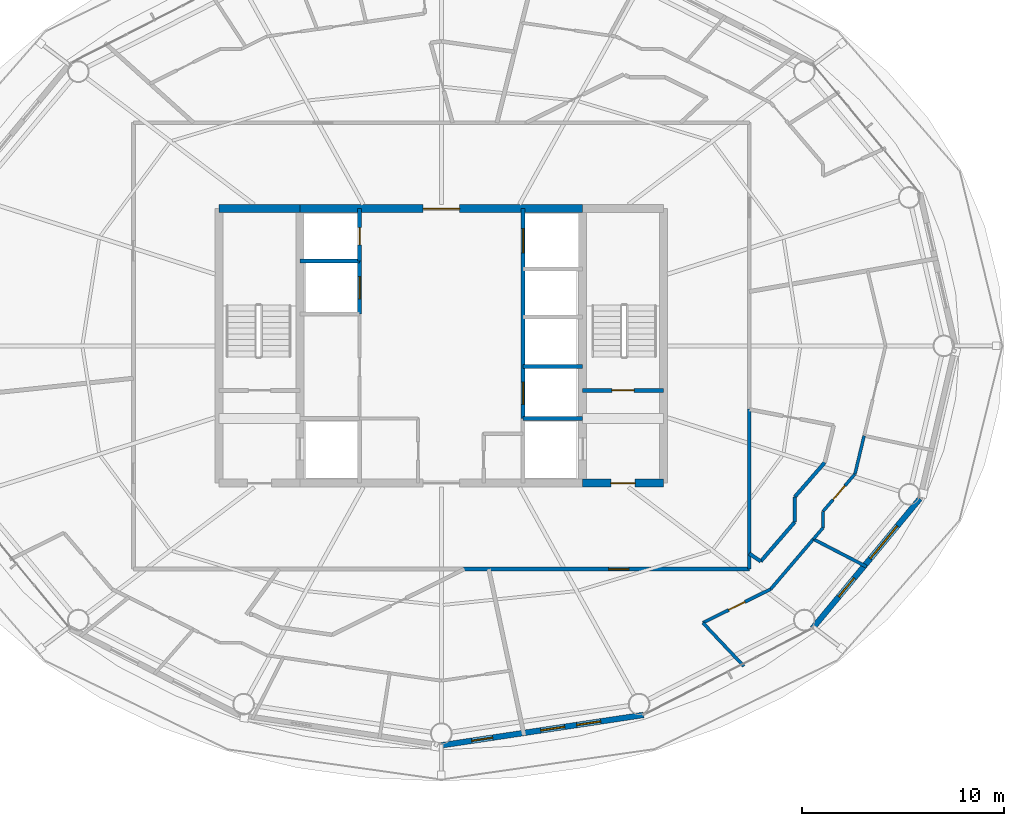
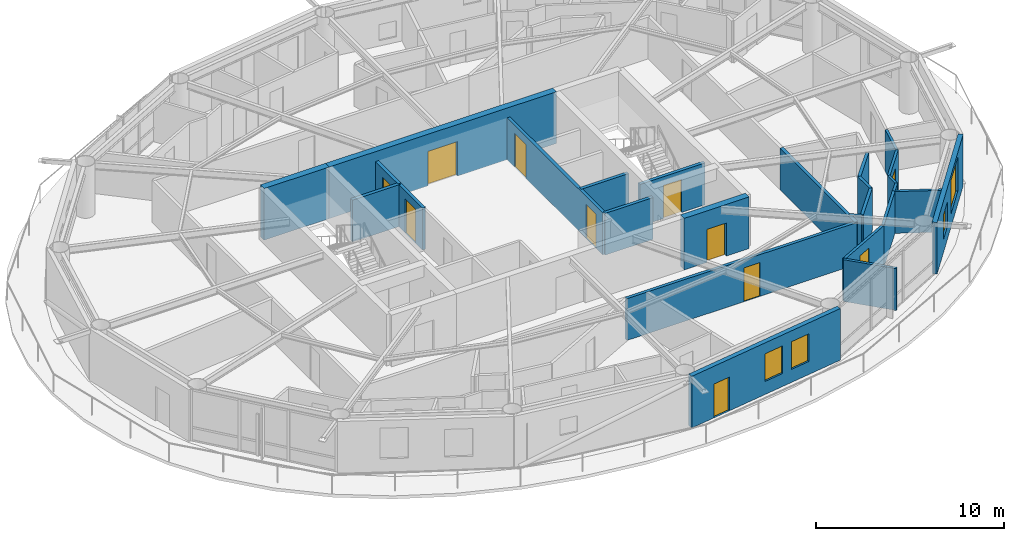
# One storey, part 17 of 23: 26 walls, 11 doors, 4 windows, 15 openings.
"""IFC4 building model written with IfcOpenShell, lengths in metres."""

from ifc_helpers import new_model, si_unit, direction, frame, frame_2d, origin, place, context, subcontext, project, spatial, rectangle, extrude, material, layer, layer_set, type_object, element, fill, save


model = new_model("IFC4")

# Units and contexts
model_context = context("Model", 3, precision=1e-05, world=origin(), true_north=direction((0.0, 1.0)))
body_context = subcontext(model_context, "Body", "Model", "MODEL_VIEW")
ifc_project = project(units=[si_unit("LENGTHUNIT", "METRE"), si_unit("AREAUNIT", "SQUARE_METRE"), si_unit("VOLUMEUNIT", "CUBIC_METRE"), si_unit("PLANEANGLEUNIT", "RADIAN"), si_unit("MASSUNIT", "GRAM", prefix="KILO")], contexts=[model_context])

# Site, building, storey
site_placement = place(None, origin())
site = spatial("IfcSite", under=ifc_project, at=site_placement, CompositionType="ELEMENT")
building_placement = place(site_placement, origin())
building = spatial("IfcBuilding", under=site, at=building_placement, Name="Sarneth Arch Tower", CompositionType="ELEMENT")
storey_placement = place(building_placement, frame((0.0, 0.0, 249.60009765625)))
storey = spatial("IfcBuildingStorey", under=building, at=storey_placement, Name="L64", CompositionType="ELEMENT", Elevation=249.60009765625)

# Wall, opening, door
ifc_material_1 = material(Name="Concrete C50/60", Category="concrete")
ifc_layer_1 = layer(ifc_material_1, 0.39990234375)
ifc_layer_set_1 = layer_set([ifc_layer_1], Name="Concrete C50/60")
wall_type_1 = type_object("IfcWallType", Name="WALL-CORE-400", PredefinedType="SHEAR", material=ifc_layer_set_1)
wall_1_placement = place(storey_placement, frame((55.0, 35.199951171875, 0.0), z_axis=(0.0, 0.0, 1.0), x_axis=(1.0, 0.0, 0.0)))
wall_1 = element("IfcWall", 1, at=wall_1_placement, inside=storey, type_object=wall_type_1, Name="L64 Core shear wall S-E", PredefinedType="SHEAR", context=body_context, shape_type="SweptSolid", body=[
    extrude(rectangle(XDim=4.0, YDim=0.39990234375, at=frame_2d((2.0, 0.0))), origin(), (0.0, 0.0, 1.0), 3.35986328125),
])
opening_1_placement = place(wall_1_placement, frame((1.39990234375, 0.0, 0.0)))
opening_1 = element("IfcOpeningElement", 2, at=opening_1_placement, cuts=wall_1, Name="Opening FD-02", PredefinedType="OPENING", context=body_context, shape_type="SweptSolid", body=[
    extrude(rectangle(XDim=1.199951171875, YDim=2.14990234375, at=frame_2d((0.60009765625, 1.074951171875))), frame((0.0, 0.2099609375, 0.0), z_axis=(0.0, -1.0, 0.0), x_axis=(1.0, 0.0, 0.0)), (0.0, 0.0, 1.0), 0.419921875),
])
ifc_material_2 = material(Name="Galvanised Steel S275 fire door set", Category="steel")
door_type_1 = type_object("IfcDoorType", Name="DR-FD90-1200", OperationType="SINGLE_SWING_LEFT", PredefinedType="DOOR", material=ifc_material_2)
door_1_placement = place(opening_1_placement, origin())
door_1 = element("IfcDoor", 3, at=door_1_placement, inside=storey, type_object=door_type_1, Name="L64 Firefighting lobby 2 exit door", OperationType="SINGLE_SWING_RIGHT", OverallHeight=2.14990234375, OverallWidth=1.199951171875, PredefinedType="DOOR", context=body_context, shape_type="SweptSolid", body=[
    extrude(rectangle(XDim=1.199951171875, YDim=2.14990234375, at=frame_2d((0.60009765625, 1.074951171875))), frame((0.0, 0.02490234375, 0.0), z_axis=(0.0, -1.0, 0.0), x_axis=(1.0, 0.0, 0.0)), (0.0, 0.0, 1.0), 0.050048828125),
])
fill(opening_1, door_1)

# Wall
wall_2_placement = place(storey_placement, frame((37.0, 48.800048828125, 0.0), z_axis=(0.0, 0.0, 1.0), x_axis=(1.0, 0.0, 0.0)))
element("IfcWall", 4, at=wall_2_placement, inside=storey, type_object=wall_type_1, Name="L64 Core shear wall N-W", PredefinedType="SHEAR", context=body_context, shape_type="SweptSolid", body=[
    extrude(rectangle(XDim=4.0, YDim=0.39990234375, at=frame_2d((2.0, 0.0))), origin(), (0.0, 0.0, 1.0), 3.35986328125),
])

# Wall, opening, door
wall_3_placement = place(storey_placement, frame((41.0, 48.800048828125, 0.0), z_axis=(0.0, 0.0, 1.0), x_axis=(1.0, 0.0, 0.0)))
wall_3 = element("IfcWall", 5, at=wall_3_placement, inside=storey, type_object=wall_type_1, Name="L64 Core shear wall N-M", PredefinedType="SHEAR", context=body_context, shape_type="SweptSolid", body=[
    extrude(rectangle(XDim=14.0, YDim=0.39990234375, at=frame_2d((7.0, 0.0))), origin(), (0.0, 0.0, 1.0), 3.35986328125),
])
opening_2_placement = place(wall_3_placement, frame((6.10009765625, 0.0, 0.0)))
opening_2 = element("IfcOpeningElement", 6, at=opening_2_placement, cuts=wall_3, Name="Opening FD-01", PredefinedType="OPENING", context=body_context, shape_type="SweptSolid", body=[
    extrude(rectangle(XDim=1.800048828125, YDim=2.25, at=frame_2d((0.89990234375, 1.125))), frame((0.0, 0.2099609375, 0.0), z_axis=(0.0, -1.0, 0.0), x_axis=(1.0, 0.0, 0.0)), (0.0, 0.0, 1.0), 0.419921875),
])
ifc_material_3 = material(Name="Galvanised Steel S275 fire door set", Category="steel")
door_type_2 = type_object("IfcDoorType", Name="DR-FD90-1800", OperationType="DOUBLE_DOOR_SINGLE_SWING", PredefinedType="DOOR", material=ifc_material_3)
door_2_placement = place(opening_2_placement, origin())
door_2 = element("IfcDoor", 7, at=door_2_placement, inside=storey, type_object=door_type_2, Name="L64 Central lift lobby north door", OperationType="DOUBLE_DOOR_SINGLE_SWING", OverallHeight=2.25, OverallWidth=1.800048828125, PredefinedType="DOOR", context=body_context, shape_type="SweptSolid", body=[
    extrude(rectangle(XDim=1.800048828125, YDim=2.25, at=frame_2d((0.89990234375, 1.125))), frame((0.0, 0.02490234375, 0.0), z_axis=(0.0, -1.0, 0.0), x_axis=(1.0, 0.0, 0.0)), (0.0, 0.0, 1.0), 0.050048828125),
])
fill(opening_2, door_2)

ifc_material_4 = material(Name="Double steel-stud corridor fire wall", Category="steel")
ifc_layer_2 = layer(ifc_material_4, 0.18994140625)
ifc_layer_set_2 = layer_set([ifc_layer_2], Name="Double steel-stud corridor fire wall")
wall_type_2 = type_object("IfcWallType", Name="WALL-CORR-190", PredefinedType="PARTITIONING", material=ifc_layer_set_2)
wall_4_placement = place(storey_placement, frame((63.25, 30.949951171875, 0.0), z_axis=(0.0, 0.0, 1.0), x_axis=(-1.0, 0.0, 0.0)))
wall_4 = element("IfcWall", 8, at=wall_4_placement, inside=storey, type_object=wall_type_2, Name="L64 Interior partition W-L64-TP-014", PredefinedType="PARTITIONING", context=body_context, shape_type="SweptSolid", body=[
    extrude(rectangle(XDim=14.17041015625, YDim=0.18994140625, at=frame_2d((7.085205078125, 0.0))), origin(), (0.0, 0.0, 1.0), 2.719970703125),
])
opening_3_placement = place(wall_4_placement, frame((5.967041015625, 0.0, 0.0)))
opening_3 = element("IfcOpeningElement", 9, at=opening_3_placement, cuts=wall_4, Name="Opening FD-08", PredefinedType="OPENING", context=body_context, shape_type="SweptSolid", body=[
    extrude(rectangle(XDim=1.0, YDim=2.199951171875, at=frame_2d((0.5, 1.10009765625))), frame((0.0, 0.10498046875, 0.0), z_axis=(0.0, -1.0, 0.0), x_axis=(1.0, 0.0, 0.0)), (0.0, 0.0, 1.0), 0.2099609375),
])
ifc_material_5 = material(Name="Hardwood timber acoustic fire door", Category="wood")
door_type_3 = type_object("IfcDoorType", Name="DR-FD60-1000", OperationType="SINGLE_SWING_LEFT", PredefinedType="DOOR", material=ifc_material_5)
door_3_placement = place(opening_3_placement, origin())
door_3 = element("IfcDoor", 10, at=door_3_placement, inside=storey, type_object=door_type_3, Name="L64 Interior door DR-L64-U5-ENT", OperationType="SINGLE_SWING_LEFT", OverallHeight=2.199951171875, OverallWidth=1.0, PredefinedType="DOOR", context=body_context, shape_type="SweptSolid", body=[
    extrude(rectangle(XDim=1.0, YDim=2.199951171875, at=frame_2d((0.5, 1.10009765625))), frame((0.0, 0.02490234375, 0.0), z_axis=(0.0, -1.0, 0.0), x_axis=(1.0, 0.0, 0.0)), (0.0, 0.0, 1.0), 0.050048828125),
])
fill(opening_3, door_3)

# Wall
wall_5_placement = place(storey_placement, frame((63.25, 38.885009765625, 0.0), z_axis=(0.0, 0.0, 1.0), x_axis=(0.0, -1.0, 0.0)))
element("IfcWall", 11, at=wall_5_placement, inside=storey, type_object=wall_type_2, Name="L64 Interior partition W-L64-TP-016", PredefinedType="PARTITIONING", context=body_context, shape_type="SweptSolid", body=[
    extrude(rectangle(XDim=7.93505859375, YDim=0.18994140625, at=frame_2d((3.967529296875, 0.0))), origin(), (0.0, 0.0, 1.0), 2.719970703125),
])

# Wall, openings, door, windows
ifc_material_6 = material(Name="Extruded terracotta rainscreen on Concrete C40/50 backing", Category="masonry")
ifc_layer_3 = layer(ifc_material_6, 0.280029296875)
ifc_layer_set_3 = layer_set([ifc_layer_3], Name="Extruded terracotta rainscreen on Concrete C40/50 backing")
wall_type_3 = type_object("IfcWallType", Name="WALL-EXT-TERRA-280", PredefinedType="SOLIDWALL", material=ifc_layer_set_3)
wall_6_placement = place(storey_placement, frame((48.0, 22.219970703125, 0.0), z_axis=(0.0, 0.0, 1.0), x_axis=(0.988882522213, 0.148698881169, 0.0)))
wall_6 = element("IfcWall", 12, at=wall_6_placement, inside=storey, type_object=wall_type_3, Name="L64 Terracotta perimeter wall 13", PredefinedType="SOLIDWALL", context=body_context, shape_type="SweptSolid", body=[
    extrude(rectangle(XDim=10.125244140625, YDim=0.280029296875, at=frame_2d((5.0625, 0.0))), origin(), (0.0, 0.0, 1.0), 3.35986328125),
])
opening_4_placement = place(wall_6_placement, frame((1.51611328125, 0.0, 0.0)))
opening_4 = element("IfcOpeningElement", 13, at=opening_4_placement, cuts=wall_6, Name="Opening BD-4", PredefinedType="OPENING", context=body_context, shape_type="SweptSolid", body=[
    extrude(rectangle(XDim=1.050048828125, YDim=2.199951171875, at=frame_2d((0.52490234375, 1.10009765625))), frame((0.0, 0.14990234375, 0.0), z_axis=(0.0, -1.0, 0.0), x_axis=(1.0, 0.0, 0.0)), (0.0, 0.0, 1.0), 0.300048828125),
])
opening_5_placement = place(wall_6_placement, frame((4.97998046875, 0.0, 0.85009765625)))
opening_5 = element("IfcOpeningElement", 14, at=opening_5_placement, cuts=wall_6, Name="Opening W-09", PredefinedType="OPENING", context=body_context, shape_type="SweptSolid", body=[
    extrude(rectangle(XDim=1.199951171875, YDim=1.800048828125, at=frame_2d((0.60009765625, 0.89990234375))), frame((0.0, 0.14990234375, 0.0), z_axis=(0.0, -1.0, 0.0), x_axis=(1.0, 0.0, 0.0)), (0.0, 0.0, 1.0), 0.300048828125),
])
opening_6_placement = place(wall_6_placement, frame((6.78271484375, 0.0, 0.85009765625)))
opening_6 = element("IfcOpeningElement", 15, at=opening_6_placement, cuts=wall_6, Name="Opening W-09", PredefinedType="OPENING", context=body_context, shape_type="SweptSolid", body=[
    extrude(rectangle(XDim=1.199951171875, YDim=1.800048828125, at=frame_2d((0.60009765625, 0.89990234375))), frame((0.0, 0.14990234375, 0.0), z_axis=(0.0, -1.0, 0.0), x_axis=(1.0, 0.0, 0.0)), (0.0, 0.0, 1.0), 0.300048828125),
])
ifc_material_7 = material(Name="Thermally broken Aluminium 6063-T6 and laminated safety glass", Category="aluminium")
door_type_4 = type_object("IfcDoorType", Name="DR-BALC-GLZ-1050", OperationType="SINGLE_SWING_RIGHT", PredefinedType="DOOR", material=ifc_material_7)
door_4_placement = place(opening_4_placement, origin())
door_4 = element("IfcDoor", 16, at=door_4_placement, inside=storey, type_object=door_type_4, Name="L64 Balcony glazed door 13", OperationType="SINGLE_SWING_RIGHT", OverallHeight=2.199951171875, OverallWidth=1.050048828125, PredefinedType="DOOR", context=body_context, shape_type="SweptSolid", body=[
    extrude(rectangle(XDim=1.050048828125, YDim=2.199951171875, at=frame_2d((0.52490234375, 1.10009765625))), frame((0.0, 0.02490234375, 0.0), z_axis=(0.0, -1.0, 0.0), x_axis=(1.0, 0.0, 0.0)), (0.0, 0.0, 1.0), 0.050048828125),
])
fill(opening_4, door_4)
ifc_material_8 = material(Name="Thermally broken Aluminium 6063-T6 and low-e laminated IGU", Category="aluminium")
window_type_1 = type_object("IfcWindowType", Name="WIN-TWR-1200x1800", PartitioningType="SINGLE_PANEL", PredefinedType="WINDOW", material=ifc_material_8)
window_1_placement = place(opening_5_placement, origin())
window_1 = element("IfcWindow", 17, at=window_1_placement, inside=storey, type_object=window_type_1, Name="L64 Exterior window 13A", OverallHeight=1.800048828125, OverallWidth=1.199951171875, PartitioningType="SINGLE_PANEL", PredefinedType="WINDOW", context=body_context, shape_type="SweptSolid", body=[
    extrude(rectangle(XDim=1.199951171875, YDim=1.800048828125, at=frame_2d((0.60009765625, 0.89990234375))), frame((0.0, 0.030029296875, 0.0), z_axis=(0.0, -1.0, 0.0), x_axis=(1.0, 0.0, 0.0)), (0.0, 0.0, 1.0), 0.06005859375),
])
fill(opening_5, window_1)
window_2_placement = place(opening_6_placement, origin())
window_2 = element("IfcWindow", 18, at=window_2_placement, inside=storey, type_object=window_type_1, Name="L64 Exterior window 13B", OverallHeight=1.800048828125, OverallWidth=1.199951171875, PartitioningType="SINGLE_PANEL", PredefinedType="WINDOW", context=body_context, shape_type="SweptSolid", body=[
    extrude(rectangle(XDim=1.199951171875, YDim=1.800048828125, at=frame_2d((0.60009765625, 0.89990234375))), frame((0.0, 0.030029296875, 0.0), z_axis=(0.0, -1.0, 0.0), x_axis=(1.0, 0.0, 0.0)), (0.0, 0.0, 1.0), 0.06005859375),
])
fill(opening_6, window_2)

# Wall, openings, windows
wall_7_placement = place(storey_placement, frame((66.382568359375, 28.013427734375, 0.0), z_axis=(0.0, 0.0, 1.0), x_axis=(0.63761509934, 0.770355103243, 0.0)))
wall_7 = element("IfcWall", 19, at=wall_7_placement, inside=storey, type_object=wall_type_3, Name="L64 Terracotta perimeter wall 15", PredefinedType="SOLIDWALL", context=body_context, shape_type="SweptSolid", body=[
    extrude(rectangle(XDim=8.329833984375, YDim=0.280029296875, at=frame_2d((4.1650390625, 0.0))), origin(), (0.0, 0.0, 1.0), 3.35986328125),
])
opening_7_placement = place(wall_7_placement, frame((2.03076171875, 0.0, 0.85009765625)))
opening_7 = element("IfcOpeningElement", 20, at=opening_7_placement, cuts=wall_7, Name="Opening W-10", PredefinedType="OPENING", context=body_context, shape_type="SweptSolid", body=[
    extrude(rectangle(XDim=1.199951171875, YDim=1.60009765625, at=frame_2d((0.60009765625, 0.800048828125))), frame((0.0, 0.14990234375, 0.0), z_axis=(0.0, -1.0, 0.0), x_axis=(1.0, 0.0, 0.0)), (0.0, 0.0, 1.0), 0.300048828125),
])
opening_8_placement = place(wall_7_placement, frame((4.485595703125, 0.0, 0.85009765625)))
opening_8 = element("IfcOpeningElement", 21, at=opening_8_placement, cuts=wall_7, Name="Opening W-03", PredefinedType="OPENING", context=body_context, shape_type="SweptSolid", body=[
    extrude(rectangle(XDim=2.10009765625, YDim=2.199951171875, at=frame_2d((1.050048828125, 1.10009765625))), frame((0.0, 0.14990234375, 0.0), z_axis=(0.0, -1.0, 0.0), x_axis=(1.0, 0.0, 0.0)), (0.0, 0.0, 1.0), 0.300048828125),
])
ifc_material_9 = material(Name="Thermally broken Aluminium 6063-T6 and low-e laminated IGU", Category="aluminium")
window_type_2 = type_object("IfcWindowType", Name="WIN-TWR-1200x1600", PartitioningType="SINGLE_PANEL", PredefinedType="WINDOW", material=ifc_material_9)
window_3_placement = place(opening_7_placement, origin())
window_3 = element("IfcWindow", 22, at=window_3_placement, inside=storey, type_object=window_type_2, Name="L64 Exterior window 15A", OverallHeight=1.60009765625, OverallWidth=1.199951171875, PartitioningType="SINGLE_PANEL", PredefinedType="WINDOW", context=body_context, shape_type="SweptSolid", body=[
    extrude(rectangle(XDim=1.199951171875, YDim=1.60009765625, at=frame_2d((0.60009765625, 0.800048828125))), frame((0.0, 0.030029296875, 0.0), z_axis=(0.0, -1.0, 0.0), x_axis=(1.0, 0.0, 0.0)), (0.0, 0.0, 1.0), 0.06005859375),
])
fill(opening_7, window_3)
ifc_material_10 = material(Name="Thermally broken Aluminium 6063-T6 and low-e laminated IGU", Category="aluminium")
window_type_3 = type_object("IfcWindowType", Name="WIN-TWR-2100x2200", PartitioningType="DOUBLE_PANEL_VERTICAL", PredefinedType="WINDOW", material=ifc_material_10)
window_4_placement = place(opening_8_placement, origin())
window_4 = element("IfcWindow", 23, at=window_4_placement, inside=storey, type_object=window_type_3, Name="L64 Exterior window 15B", OverallHeight=2.199951171875, OverallWidth=2.10009765625, PartitioningType="SINGLE_PANEL", PredefinedType="WINDOW", context=body_context, shape_type="SweptSolid", body=[
    extrude(rectangle(XDim=2.10009765625, YDim=2.199951171875, at=frame_2d((1.050048828125, 1.10009765625))), frame((0.0, 0.030029296875, 0.0), z_axis=(0.0, -1.0, 0.0), x_axis=(1.0, 0.0, 0.0)), (0.0, 0.0, 1.0), 0.06005859375),
])
fill(opening_8, window_4)

# Wall, opening, door
ifc_material_11 = material(Name="Acoustic gypsum stud partition", Category="gypsum")
ifc_layer_4 = layer(ifc_material_11, 0.14990234375)
ifc_layer_set_4 = layer_set([ifc_layer_4], Name="Acoustic gypsum stud partition")
wall_type_4 = type_object("IfcWallType", Name="WALL-PART-150", PredefinedType="PARTITIONING", material=ifc_layer_set_4)
wall_8_placement = place(storey_placement, frame((66.89990234375, 33.802978515625, 0.0), z_axis=(0.0, 0.0, 1.0), x_axis=(0.649270866973, 0.760557257082, 0.0)))
wall_8 = element("IfcWall", 24, at=wall_8_placement, inside=storey, type_object=wall_type_4, Name="L64 Interior partition W-L64-TP-092", PredefinedType="PARTITIONING", context=body_context, shape_type="SweptSolid", body=[
    extrude(rectangle(XDim=2.43505859375, YDim=0.14990234375, at=frame_2d((1.217529296875, 0.0))), origin(), (0.0, 0.0, 1.0), 2.719970703125),
])
opening_9_placement = place(wall_8_placement, frame((0.767578125, 0.0, 0.0)))
opening_9 = element("IfcOpeningElement", 25, at=opening_9_placement, cuts=wall_8, Name="Opening ID-01", PredefinedType="OPENING", context=body_context, shape_type="SweptSolid", body=[
    extrude(rectangle(XDim=0.89990234375, YDim=2.10009765625, at=frame_2d((0.449951171875, 1.050048828125))), frame((0.0, 0.0849609375, 0.0), z_axis=(0.0, -1.0, 0.0), x_axis=(1.0, 0.0, 0.0)), (0.0, 0.0, 1.0), 0.169921875),
])
ifc_material_12 = material(Name="Engineered hardwood flush door", Category="wood")
door_type_5 = type_object("IfcDoorType", Name="DR-INT-900", OperationType="SINGLE_SWING_LEFT", PredefinedType="DOOR", material=ifc_material_12)
door_5_placement = place(opening_9_placement, origin())
door_5 = element("IfcDoor", 26, at=door_5_placement, inside=storey, type_object=door_type_5, Name="L64 Interior door DR-L64-U5-BED1", OperationType="SINGLE_SWING_RIGHT", OverallHeight=2.10009765625, OverallWidth=0.89990234375, PredefinedType="DOOR", context=body_context, shape_type="SweptSolid", body=[
    extrude(rectangle(XDim=0.89990234375, YDim=2.10009765625, at=frame_2d((0.449951171875, 1.050048828125))), frame((0.0, 0.02490234375, 0.0), z_axis=(0.0, -1.0, 0.0), x_axis=(1.0, 0.0, 0.0)), (0.0, 0.0, 1.0), 0.050048828125),
])
fill(opening_9, door_5)

# Walls
wall_9_placement = place(storey_placement, frame((68.48095703125, 35.655029296875, 0.0), z_axis=(0.0, 0.0, 1.0), x_axis=(0.232292373483, 0.97264600612, 0.0)))
element("IfcWall", 27, at=wall_9_placement, inside=storey, type_object=wall_type_4, Name="L64 Interior partition W-L64-TP-093", PredefinedType="PARTITIONING", context=body_context, shape_type="SweptSolid", body=[
    extrude(rectangle(XDim=1.948486328125, YDim=0.14990234375, at=frame_2d((0.97412109375, 0.0))), origin(), (0.0, 0.0, 1.0), 2.719970703125),
])
wall_10_placement = place(storey_placement, frame((66.89990234375, 32.992919921875, 0.0), z_axis=(0.0, 0.0, 1.0), x_axis=(0.0, 1.0, 0.0)))
element("IfcWall", 28, at=wall_10_placement, inside=storey, type_object=wall_type_4, Name="L64 Interior partition W-L64-TP-091", PredefinedType="PARTITIONING", context=body_context, shape_type="SweptSolid", body=[
    extrude(rectangle(XDim=0.81005859375, YDim=0.14990234375, at=frame_2d((0.405029296875, 0.0))), origin(), (0.0, 0.0, 1.0), 2.719970703125),
])
wall_11_placement = place(storey_placement, frame((66.42138671875, 32.43212890625, 0.0), z_axis=(0.0, 0.0, 1.0), x_axis=(0.649098829795, 0.760704087775, 0.0)))
element("IfcWall", 29, at=wall_11_placement, inside=storey, type_object=wall_type_4, Name="L64 Interior partition W-L64-TP-090", PredefinedType="PARTITIONING", context=body_context, shape_type="SweptSolid", body=[
    extrude(rectangle(XDim=0.7373046875, YDim=0.14990234375, at=frame_2d((0.36865234375, 0.0))), origin(), (0.0, 0.0, 1.0), 2.719970703125),
])

# Wall, opening, door
ifc_material_13 = material(Name="Kitchen wet service chase wall", Category="gypsum")
ifc_layer_5 = layer(ifc_material_13, 0.159912109375)
ifc_layer_set_5 = layer_set([ifc_layer_5], Name="Kitchen wet service chase wall")
wall_type_5 = type_object("IfcWallType", Name="WALL-PLUMB-160", PredefinedType="PLUMBINGWALL", material=ifc_layer_set_5)
wall_12_placement = place(storey_placement, frame((60.9501953125, 28.287353515625, 0.0), z_axis=(0.0, 0.0, 1.0), x_axis=(0.895465553998, 0.445130814035, 0.0)))
wall_12 = element("IfcWall", 30, at=wall_12_placement, inside=storey, type_object=wall_type_5, Name="L64 Interior partition W-L64-TP-082", PredefinedType="PLUMBINGWALL", context=body_context, shape_type="SweptSolid", body=[
    extrude(rectangle(XDim=3.753173828125, YDim=0.159912109375, at=frame_2d((1.87646484375, 0.0))), origin(), (0.0, 0.0, 1.0), 2.719970703125),
])
opening_10_placement = place(wall_12_placement, frame((1.4267578125, 0.0, 0.0)))
opening_10 = element("IfcOpeningElement", 31, at=opening_10_placement, cuts=wall_12, Name="Opening ID-01", PredefinedType="OPENING", context=body_context, shape_type="SweptSolid", body=[
    extrude(rectangle(XDim=0.89990234375, YDim=2.10009765625, at=frame_2d((0.449951171875, 1.050048828125))), frame((0.0, 0.08984375, 0.0), z_axis=(0.0, -1.0, 0.0), x_axis=(1.0, 0.0, 0.0)), (0.0, 0.0, 1.0), 0.179931640625),
])
door_6_placement = place(opening_10_placement, origin())
door_6 = element("IfcDoor", 32, at=door_6_placement, inside=storey, type_object=door_type_5, Name="L64 Interior door DR-L64-U5-KIT", OperationType="SINGLE_SWING_LEFT", OverallHeight=2.10009765625, OverallWidth=0.89990234375, PredefinedType="DOOR", context=body_context, shape_type="SweptSolid", body=[
    extrude(rectangle(XDim=0.89990234375, YDim=2.10009765625, at=frame_2d((0.449951171875, 1.050048828125))), frame((0.0, 0.02490234375, 0.0), z_axis=(0.0, -1.0, 0.0), x_axis=(1.0, 0.0, 0.0)), (0.0, 0.0, 1.0), 0.050048828125),
])
fill(opening_10, door_6)

# Walls
wall_13_placement = place(storey_placement, frame((64.31103515625, 29.9580078125, 0.0), z_axis=(0.0, 0.0, 1.0), x_axis=(0.648959388132, 0.760823049437, 0.0)))
element("IfcWall", 33, at=wall_13_placement, inside=storey, type_object=wall_type_5, Name="L64 Interior partition W-L64-TP-083", PredefinedType="PLUMBINGWALL", context=body_context, shape_type="SweptSolid", body=[
    extrude(rectangle(XDim=3.251953125, YDim=0.159912109375, at=frame_2d((1.6259765625, 0.0))), origin(), (0.0, 0.0, 1.0), 2.719970703125),
])
wall_14_placement = place(storey_placement, frame((69.058349609375, 31.0625, 0.0), z_axis=(0.0, 0.0, 1.0), x_axis=(-0.887435973199, 0.460931007281, 0.0)))
element("IfcWall", 34, at=wall_14_placement, inside=storey, type_object=wall_type_5, Name="L64 Interior partition W-L64-TP-096", PredefinedType="PLUMBINGWALL", context=body_context, shape_type="SweptSolid", body=[
    extrude(rectangle(XDim=2.971435546875, YDim=0.159912109375, at=frame_2d((1.48583984375, 0.0))), origin(), (0.0, 0.0, 1.0), 2.719970703125),
])
wall_15_placement = place(storey_placement, frame((62.97802734375, 26.139892578125, 0.0), z_axis=(0.0, 0.0, 1.0), x_axis=(-0.686565278446, 0.72706816629, 0.0)))
element("IfcWall", 35, at=wall_15_placement, inside=storey, type_object=wall_type_5, Name="L64 Interior partition W-L64-TP-081", PredefinedType="PLUMBINGWALL", context=body_context, shape_type="SweptSolid", body=[
    extrude(rectangle(XDim=2.95361328125, YDim=0.159912109375, at=frame_2d((1.476806640625, 0.0))), origin(), (0.0, 0.0, 1.0), 2.719970703125),
])
ifc_material_14 = material(Name="Moisture-resistant plumbing chase wall", Category="gypsum")
ifc_layer_6 = layer(ifc_material_14, 0.179931640625)
ifc_layer_set_6 = layer_set([ifc_layer_6], Name="Moisture-resistant plumbing chase wall")
wall_type_6 = type_object("IfcWallType", Name="WALL-PLUMB-180", PredefinedType="PLUMBINGWALL", material=ifc_layer_set_6)
wall_16_placement = place(storey_placement, frame((65.5, 33.27880859375, 0.0), z_axis=(0.0, 0.0, 1.0), x_axis=(-0.653879119416, -0.756599033301, 0.0)))
element("IfcWall", 36, at=wall_16_placement, inside=storey, type_object=wall_type_6, Name="L64 Interior partition W-L64-TP-088", PredefinedType="PLUMBINGWALL", context=body_context, shape_type="SweptSolid", body=[
    extrude(rectangle(XDim=2.573974609375, YDim=0.179931640625, at=frame_2d((1.287109375, 0.0))), origin(), (0.0, 0.0, 1.0), 2.719970703125),
])
wall_17_placement = place(storey_placement, frame((66.987548828125, 36.22900390625, 0.0), z_axis=(0.0, 0.0, 1.0), x_axis=(-0.656389391797, -0.754422273224, 0.0)))
element("IfcWall", 37, at=wall_17_placement, inside=storey, type_object=wall_type_6, Name="L64 Interior partition W-L64-TP-086", PredefinedType="PLUMBINGWALL", context=body_context, shape_type="SweptSolid", body=[
    extrude(rectangle(XDim=2.266357421875, YDim=0.179931640625, at=frame_2d((1.13330078125, 0.0))), origin(), (0.0, 0.0, 1.0), 2.719970703125),
])
wall_18_placement = place(storey_placement, frame((65.5, 34.519287109375, 0.0), z_axis=(0.0, 0.0, 1.0), x_axis=(0.0, -1.0, 0.0)))
element("IfcWall", 38, at=wall_18_placement, inside=storey, type_object=wall_type_6, Name="L64 Interior partition W-L64-TP-087", PredefinedType="PLUMBINGWALL", context=body_context, shape_type="SweptSolid", body=[
    extrude(rectangle(XDim=1.240478515625, YDim=0.179931640625, at=frame_2d((0.6201171875, 0.0))), origin(), (0.0, 0.0, 1.0), 2.719970703125),
])
wall_19_placement = place(storey_placement, frame((63.81689453125, 31.331298828125, 0.0), z_axis=(0.0, 0.0, 1.0), x_axis=(-0.829072128826, 0.559141668278, 0.0)))
element("IfcWall", 39, at=wall_19_placement, inside=storey, type_object=wall_type_6, Name="L64 Interior partition W-L64-TP-089", PredefinedType="PLUMBINGWALL", context=body_context, shape_type="SweptSolid", body=[
    extrude(rectangle(XDim=0.683837890625, YDim=0.179931640625, at=frame_2d((0.341796875, 0.0))), origin(), (0.0, 0.0, 1.0), 2.719970703125),
])

# Wall, opening, door
ifc_material_15 = material(Name="Aerated concrete blockwork C25/30", Category="masonry")
ifc_layer_7 = layer(ifc_material_15, 0.199951171875)
ifc_layer_set_7 = layer_set([ifc_layer_7], Name="Aerated concrete blockwork C25/30")
wall_type_7 = type_object("IfcWallType", Name="WALL-SHAFT-200", PredefinedType="SOLIDWALL", material=ifc_layer_set_7)
wall_20_placement = place(storey_placement, frame((55.0, 39.800048828125, 0.0), z_axis=(0.0, 0.0, 1.0), x_axis=(1.0, 0.0, 0.0)))
wall_20 = element("IfcWall", 40, at=wall_20_placement, inside=storey, type_object=wall_type_7, Name="L64 Interior partition W-L64-ST2-S", PredefinedType="SOLIDWALL", context=body_context, shape_type="SweptSolid", body=[
    extrude(rectangle(XDim=4.0, YDim=0.199951171875, at=frame_2d((2.0, 0.0))), origin(), (0.0, 0.0, 1.0), 2.719970703125),
])
opening_11_placement = place(wall_20_placement, frame((1.449951171875, 0.0, 0.0)))
opening_11 = element("IfcOpeningElement", 41, at=opening_11_placement, cuts=wall_20, Name="Opening FD-03", PredefinedType="OPENING", context=body_context, shape_type="SweptSolid", body=[
    extrude(rectangle(XDim=1.10009765625, YDim=2.14990234375, at=frame_2d((0.550048828125, 1.074951171875))), frame((0.0, 0.10986328125, 0.0), z_axis=(0.0, -1.0, 0.0), x_axis=(1.0, 0.0, 0.0)), (0.0, 0.0, 1.0), 0.219970703125),
])
ifc_material_16 = material(Name="Galvanised Steel S275 fire door set", Category="steel")
door_type_6 = type_object("IfcDoorType", Name="DR-FD90-1100", OperationType="SINGLE_SWING_LEFT", PredefinedType="DOOR", material=ifc_material_16)
door_7_placement = place(opening_11_placement, origin())
door_7 = element("IfcDoor", 42, at=door_7_placement, inside=storey, type_object=door_type_6, Name="L64 Interior door DR-L64-ST2", OperationType="SINGLE_SWING_RIGHT", OverallHeight=2.14990234375, OverallWidth=1.10009765625, PredefinedType="DOOR", context=body_context, shape_type="SweptSolid", body=[
    extrude(rectangle(XDim=1.10009765625, YDim=2.14990234375, at=frame_2d((0.550048828125, 1.074951171875))), frame((0.0, 0.02490234375, 0.0), z_axis=(0.0, -1.0, 0.0), x_axis=(1.0, 0.0, 0.0)), (0.0, 0.0, 1.0), 0.050048828125),
])
fill(opening_11, door_7)

# Walls
for number, where, z_axis, x_axis, name in (
    (43, (52.050048828125, 38.39990234375, 0.0), (0.0, 0.0, 1.0), (1.0, 0.0, 0.0), "L64 Interior partition W-L64-FL2-N"),
    (44, (41.0, 46.199951171875, 0.0), (0.0, 0.0, 1.0), (1.0, 0.0, 0.0), "L64 Interior partition W-L64-RISER-S"),
):
    element("IfcWall", number, at=place(storey_placement, frame(where, z_axis=z_axis, x_axis=x_axis)), inside=storey, type_object=wall_type_7, Name=name, PredefinedType="SOLIDWALL", context=body_context, shape_type="SweptSolid", body=[
        extrude(rectangle(XDim=2.949951171875, YDim=0.199951171875, at=frame_2d((1.47509765625, 0.0))), origin(), (0.0, 0.0, 1.0), 2.719970703125),
    ])

# Wall, opening, door
wall_21_placement = place(storey_placement, frame((43.949951171875, 46.199951171875, 0.0), z_axis=(0.0, 0.0, 1.0), x_axis=(0.0, 1.0, 0.0)))
wall_21 = element("IfcWall", 45, at=wall_21_placement, inside=storey, type_object=wall_type_7, Name="L64 Interior partition W-L64-RISER-E", PredefinedType="SOLIDWALL", context=body_context, shape_type="SweptSolid", body=[
    extrude(rectangle(XDim=2.60009765625, YDim=0.199951171875, at=frame_2d((1.300048828125, 0.0))), origin(), (0.0, 0.0, 1.0), 2.719970703125),
])
opening_12_placement = place(wall_21_placement, frame((0.800048828125, 0.0, 0.0)))
opening_12 = element("IfcOpeningElement", 46, at=opening_12_placement, cuts=wall_21, Name="Opening FD-11", PredefinedType="OPENING", context=body_context, shape_type="SweptSolid", body=[
    extrude(rectangle(XDim=0.85009765625, YDim=2.14990234375, at=frame_2d((0.425048828125, 1.074951171875))), frame((0.0, 0.10986328125, 0.0), z_axis=(0.0, -1.0, 0.0), x_axis=(1.0, 0.0, 0.0)), (0.0, 0.0, 1.0), 0.219970703125),
])
ifc_material_17 = material(Name="Galvanised Steel S275 closet fire door", Category="steel")
door_type_7 = type_object("IfcDoorType", Name="DR-FD60-850", OperationType="SINGLE_SWING_LEFT", PredefinedType="DOOR", material=ifc_material_17)
door_8_placement = place(opening_12_placement, origin())
door_8 = element("IfcDoor", 47, at=door_8_placement, inside=storey, type_object=door_type_7, Name="L64 Lift landing door DR-L64-RISER", OperationType="SINGLE_SWING_LEFT", OverallHeight=2.14990234375, OverallWidth=0.85009765625, PredefinedType="DOOR", context=body_context, shape_type="SweptSolid", body=[
    extrude(rectangle(XDim=0.85009765625, YDim=2.14990234375, at=frame_2d((0.425048828125, 1.074951171875))), frame((0.0, 0.02490234375, 0.0), z_axis=(0.0, -1.0, 0.0), x_axis=(1.0, 0.0, 0.0)), (0.0, 0.0, 1.0), 0.050048828125),
])
fill(opening_12, door_8)

wall_22_placement = place(storey_placement, frame((43.949951171875, 43.580078125, 0.0), z_axis=(0.0, 0.0, 1.0), x_axis=(0.0, 1.0, 0.0)))
wall_22 = element("IfcWall", 48, at=wall_22_placement, inside=storey, type_object=wall_type_7, Name="L64 Interior partition W-L64-PM1-FRONT", PredefinedType="SOLIDWALL", context=body_context, shape_type="SweptSolid", body=[
    extrude(rectangle(XDim=2.619873046875, YDim=0.199951171875, at=frame_2d((1.31005859375, 0.0))), origin(), (0.0, 0.0, 1.0), 2.719970703125),
])
opening_13_placement = place(wall_22_placement, frame((0.75, 0.0, 0.0)))
opening_13 = element("IfcOpeningElement", 49, at=opening_13_placement, cuts=wall_22, Name="Opening LD-1", PredefinedType="OPENING", context=body_context, shape_type="SweptSolid", body=[
    extrude(rectangle(XDim=1.10009765625, YDim=2.199951171875, at=frame_2d((0.550048828125, 1.10009765625))), frame((0.0, 0.10986328125, 0.0), z_axis=(0.0, -1.0, 0.0), x_axis=(1.0, 0.0, 0.0)), (0.0, 0.0, 1.0), 0.219970703125),
])
ifc_material_18 = material(Name="Brushed Stainless Steel 304 lift landing door", Category="steel")
door_type_8 = type_object("IfcDoorType", Name="DR-LIFT-SLIDE-1100", OperationType="SLIDING_TO_LEFT", PredefinedType="DOOR", material=ifc_material_18)
door_9_placement = place(opening_13_placement, origin())
door_9 = element("IfcDoor", 50, at=door_9_placement, inside=storey, type_object=door_type_8, Name="L64 Lift landing door DR-L64-LD-PM1", OperationType="SLIDING_TO_LEFT", OverallHeight=2.199951171875, OverallWidth=1.10009765625, PredefinedType="DOOR", context=body_context, shape_type="SweptSolid", body=[
    extrude(rectangle(XDim=1.10009765625, YDim=2.199951171875, at=frame_2d((0.550048828125, 1.10009765625))), frame((0.0, 0.02490234375, 0.0), z_axis=(0.0, -1.0, 0.0), x_axis=(1.0, 0.0, 0.0)), (0.0, 0.0, 1.0), 0.050048828125),
])
fill(opening_13, door_9)

# Wall, openings, doors
wall_23_placement = place(storey_placement, frame((52.050048828125, 38.39990234375, 0.0), z_axis=(0.0, 0.0, 1.0), x_axis=(0.0, 1.0, 0.0)))
wall_23 = element("IfcWall", 51, at=wall_23_placement, inside=storey, type_object=wall_type_7, Name="L64 Interior partition W-L64-EASTBANK-FRONT", PredefinedType="SOLIDWALL", context=body_context, shape_type="SweptSolid", body=[
    extrude(rectangle(XDim=10.400146484375, YDim=0.199951171875, at=frame_2d((5.2001953125, 0.0))), origin(), (0.0, 0.0, 1.0), 2.719970703125),
])
opening_14_placement = place(wall_23_placement, frame((0.699951171875, 0.0, 0.0)))
opening_14 = element("IfcOpeningElement", 52, at=opening_14_placement, cuts=wall_23, Name="Opening LD-1", PredefinedType="OPENING", context=body_context, shape_type="SweptSolid", body=[
    extrude(rectangle(XDim=1.10009765625, YDim=2.199951171875, at=frame_2d((0.550048828125, 1.10009765625))), frame((0.0, 0.10986328125, 0.0), z_axis=(0.0, -1.0, 0.0), x_axis=(1.0, 0.0, 0.0)), (0.0, 0.0, 1.0), 0.219970703125),
])
opening_15_placement = place(wall_23_placement, frame((8.199951171875, 0.0, 0.0)))
opening_15 = element("IfcOpeningElement", 53, at=opening_15_placement, cuts=wall_23, Name="Opening LD-2", PredefinedType="OPENING", context=body_context, shape_type="SweptSolid", body=[
    extrude(rectangle(XDim=1.199951171875, YDim=2.199951171875, at=frame_2d((0.60009765625, 1.10009765625))), frame((0.0, 0.10986328125, 0.0), z_axis=(0.0, -1.0, 0.0), x_axis=(1.0, 0.0, 0.0)), (0.0, 0.0, 1.0), 0.219970703125),
])
door_10_placement = place(opening_14_placement, origin())
door_10 = element("IfcDoor", 54, at=door_10_placement, inside=storey, type_object=door_type_8, Name="L64 Lift landing door DR-L64-LD-PM2", OperationType="SLIDING_TO_LEFT", OverallHeight=2.199951171875, OverallWidth=1.10009765625, PredefinedType="DOOR", context=body_context, shape_type="SweptSolid", body=[
    extrude(rectangle(XDim=1.10009765625, YDim=2.199951171875, at=frame_2d((0.550048828125, 1.10009765625))), frame((0.0, 0.02490234375, 0.0), z_axis=(0.0, -1.0, 0.0), x_axis=(1.0, 0.0, 0.0)), (0.0, 0.0, 1.0), 0.050048828125),
])
fill(opening_14, door_10)
ifc_material_19 = material(Name="Brushed Stainless Steel 304 service lift door", Category="steel")
door_type_9 = type_object("IfcDoorType", Name="DR-LIFT-SLIDE-1200", OperationType="SLIDING_TO_RIGHT", PredefinedType="DOOR", material=ifc_material_19)
door_11_placement = place(opening_15_placement, origin())
door_11 = element("IfcDoor", 55, at=door_11_placement, inside=storey, type_object=door_type_9, Name="L64 Lift landing door DR-L64-LD-SL1", OperationType="SLIDING_TO_RIGHT", OverallHeight=2.199951171875, OverallWidth=1.199951171875, PredefinedType="DOOR", context=body_context, shape_type="SweptSolid", body=[
    extrude(rectangle(XDim=1.199951171875, YDim=2.199951171875, at=frame_2d((0.60009765625, 1.10009765625))), frame((0.0, 0.02490234375, 0.0), z_axis=(0.0, -1.0, 0.0), x_axis=(1.0, 0.0, 0.0)), (0.0, 0.0, 1.0), 0.050048828125),
])
fill(opening_15, door_11)

# Wall
wall_24_placement = place(storey_placement, frame((52.050048828125, 40.97998046875, 0.0), z_axis=(0.0, 0.0, 1.0), x_axis=(1.0, 0.0, 0.0)))
element("IfcWall", 56, at=wall_24_placement, inside=storey, type_object=wall_type_7, Name="L64 Interior partition W-L64-EB-DIV-4098", PredefinedType="SOLIDWALL", context=body_context, shape_type="SweptSolid", body=[
    extrude(rectangle(XDim=2.949951171875, YDim=0.199951171875, at=frame_2d((1.47509765625, 0.0))), origin(), (0.0, 0.0, 1.0), 2.719970703125),
])

save(model, "model.ifc")
